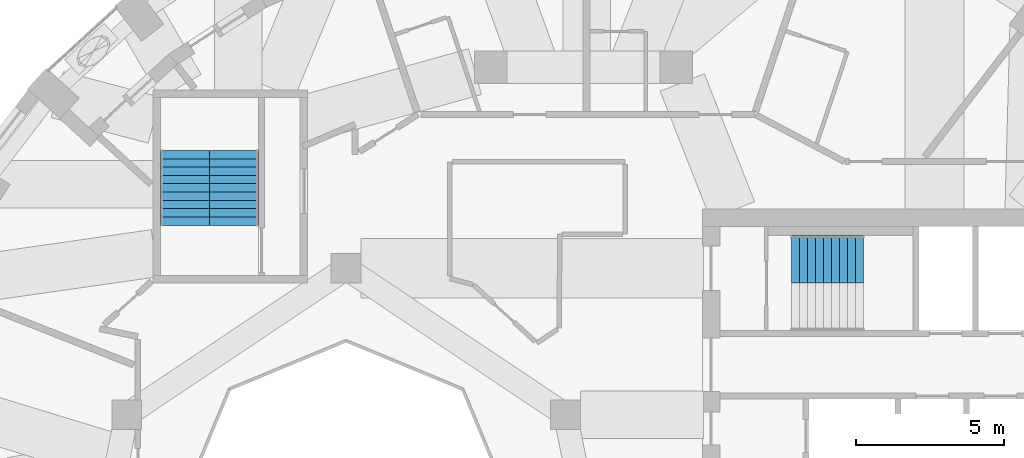
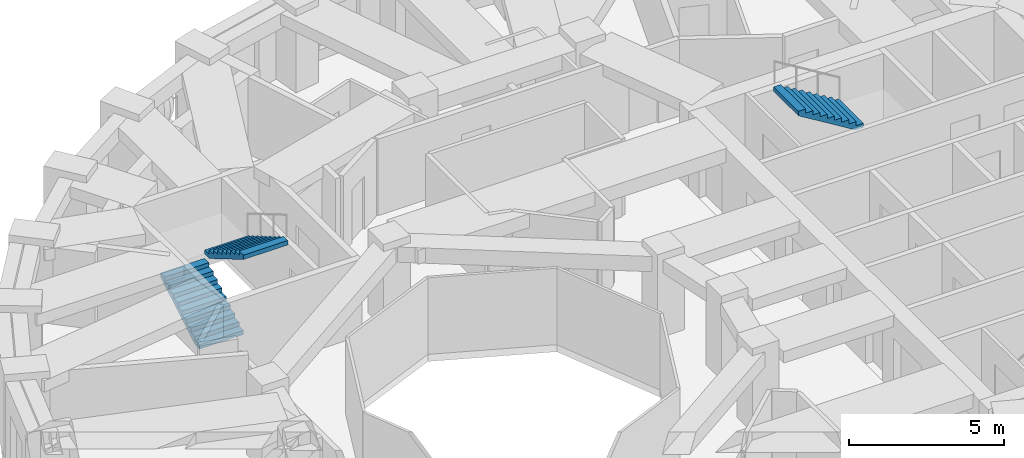
# One storey, part 9 of 12: 3 stair flights, 2 elements without a shape of their own.
"""IFC4 building model written with IfcOpenShell, lengths in metres."""

from ifc_helpers import new_model, si_unit, direction, frame, origin, place, context, subcontext, project, spatial, polyline, outline, extrude, material, type_object, element, aggregate, save


model = new_model("IFC4")

# Units and contexts
model_context = context("Model", 3, precision=1e-05, world=origin(), true_north=direction((0.0, 1.0)))
body_context = subcontext(model_context, "Body", "Model", "MODEL_VIEW")
ifc_project = project(units=[si_unit("LENGTHUNIT", "METRE"), si_unit("AREAUNIT", "SQUARE_METRE"), si_unit("VOLUMEUNIT", "CUBIC_METRE"), si_unit("PLANEANGLEUNIT", "RADIAN"), si_unit("MASSUNIT", "GRAM", prefix="KILO")], contexts=[model_context])

# Site, building, storey
site_placement = place(None, origin())
site = spatial("IfcSite", under=ifc_project, at=site_placement, CompositionType="ELEMENT")
building_placement = place(site_placement, origin())
building = spatial("IfcBuilding", under=site, at=building_placement, Name="Taillehof Tower", CompositionType="ELEMENT")
storey_placement = place(building_placement, frame((0.0, 0.0, 164.89990234375)))
storey = spatial("IfcBuildingStorey", under=building, at=storey_placement, Name="L46", CompositionType="ELEMENT", Elevation=164.89990234375)

# Stair, stair flight
ifc_material_1 = material(Name="Concrete C40/50", Category="concrete")
stair_type = type_object("IfcStairType", Name="Exit stair half-turn", PredefinedType="HALF_TURN_STAIR", material=ifc_material_1)
stair_1_placement = place(storey_placement, origin())
stair_1 = element("IfcStair", 1, at=stair_1_placement, inside=storey, type_object=stair_type, Name="Exit stair S1", PredefinedType="HALF_TURN_STAIR")
ifc_material_2 = material(Name="Concrete C40/50", Category="concrete")
stair_flight_type_1 = type_object("IfcStairFlightType", Name="Stair flight 1600 riser 165.0 going 270", PredefinedType="STRAIGHT", material=ifc_material_2)
stair_flight_1_placement = place(storey_placement, frame((9.429931640625, 8.300048828125, 1.650146484375), z_axis=(0.0, 0.0, 1.0), x_axis=(-1.0, 0.0, 0.0)))
stair_flight_1 = element("IfcStairFlight", 2, at=stair_flight_1_placement, type_object=stair_flight_type_1, Name="S1 flight 2", NumberOfRisers=10, NumberOfTreads=9, PredefinedType="STRAIGHT", RiserHeight=0.165, TreadLength=0.27, context=body_context, shape_type="SweptSolid", body=[
    extrude(outline(polyline([(0.0, 0.0), (0.0, 0.00537109375), (0.0, 0.0107421875), (0.0, 0.015869140625), (0.0, 0.021240234375), (0.0, 0.026611328125), (0.0, 0.031982421875), (0.0, 0.037353515625), (0.0, 0.04248046875), (0.0, 0.0478515625), (0.0, 0.05322265625), (0.0, 0.05859375), (0.0, 0.06396484375), (0.0, 0.069091796875), (0.0, 0.074462890625), (0.0, 0.079833984375), (0.0, 0.085205078125), (0.0, 0.090576171875), (0.0, 0.095703125), (0.0, 0.10107421875), (0.0, 0.1064453125), (0.0, 0.11181640625), (0.0, 0.1171875), (0.0, 0.122314453125), (0.0, 0.127685546875), (0.0, 0.133056640625), (0.0, 0.138427734375), (0.0, 0.143798828125), (0.0, 0.14892578125), (0.0, 0.154296875), (0.0, 0.15966796875), (0.0, 0.1650390625), (0.27001953125, 0.1650390625), (0.27001953125, 0.330078125), (0.5400390625, 0.330078125), (0.5400390625, 0.4951171875), (0.81005859375, 0.4951171875), (0.81005859375, 0.659912109375), (1.080078125, 0.659912109375), (1.080078125, 0.824951171875), (1.35009765625, 0.824951171875), (1.35009765625, 0.989990234375), (1.6201171875, 0.989990234375), (1.6201171875, 1.155029296875), (1.889892578125, 1.155029296875), (1.889892578125, 1.320068359375), (2.159912109375, 1.320068359375), (2.159912109375, 1.485107421875), (2.429931640625, 1.485107421875), (2.429931640625, 1.479248046875), (2.429931640625, 1.4736328125), (2.429931640625, 1.468017578125), (2.429931640625, 1.46240234375), (2.429931640625, 1.45654296875), (2.429931640625, 1.450927734375), (2.429931640625, 1.4453125), (2.429931640625, 1.439697265625), (2.429931640625, 1.43408203125), (2.429931640625, 1.42822265625), (2.429931640625, 1.422607421875), (2.429931640625, 1.4169921875), (2.429931640625, 1.411376953125), (2.429931640625, 1.40576171875), (2.429931640625, 1.39990234375), (2.429931640625, 1.394287109375), (2.429931640625, 1.388671875), (2.429931640625, 1.383056640625), (2.429931640625, 1.37744140625), (2.429931640625, 1.37158203125), (2.429931640625, 1.365966796875), (2.429931640625, 1.3603515625), (2.429931640625, 1.354736328125), (2.429931640625, 1.348876953125), (2.429931640625, 1.34326171875), (2.429931640625, 1.337646484375), (2.429931640625, 1.33203125), (2.429931640625, 1.326416015625), (2.429931640625, 1.320556640625), (2.429931640625, 1.31494140625), (2.429931640625, 1.309326171875), (0.287353515625, 0.0), (0.0, 0.0)])), frame((0.0, 0.800048828125, 0.0), z_axis=(0.0, -1.0, 0.0), x_axis=(1.0, 0.0, 0.0)), (0.0, 0.0, 1.0), 1.6),
])
aggregate(stair_1, [stair_flight_1])

# Stair, stair flights
stair_2_placement = place(storey_placement, origin())
stair_2 = element("IfcStair", 3, at=stair_2_placement, inside=storey, type_object=stair_type, Name="Exit stair S3", PredefinedType="HALF_TURN_STAIR")
ifc_material_3 = material(Name="Concrete C40/50", Category="concrete")
stair_flight_type_2 = type_object("IfcStairFlightType", Name="Stair flight 1650 riser 165.0 going 280", PredefinedType="STRAIGHT", material=ifc_material_3)
stair_flight_2_placement = place(storey_placement, frame((-13.425048828125, 9.449951171875, 0.0), z_axis=(0.0, 0.0, 1.0), x_axis=(0.0, 1.0, 0.0)))
stair_flight_2 = element("IfcStairFlight", 4, at=stair_flight_2_placement, type_object=stair_flight_type_2, Name="S3 flight 1", NumberOfRisers=10, NumberOfTreads=9, PredefinedType="STRAIGHT", RiserHeight=0.165, TreadLength=0.28, context=body_context, shape_type="SweptSolid", body=[
    extrude(outline(polyline([(0.0, 0.0), (0.0, 0.00537109375), (0.0, 0.0107421875), (0.0, 0.015869140625), (0.0, 0.021240234375), (0.0, 0.026611328125), (0.0, 0.031982421875), (0.0, 0.037353515625), (0.0, 0.04248046875), (0.0, 0.0478515625), (0.0, 0.05322265625), (0.0, 0.05859375), (0.0, 0.06396484375), (0.0, 0.069091796875), (0.0, 0.074462890625), (0.0, 0.079833984375), (0.0, 0.085205078125), (0.0, 0.090576171875), (0.0, 0.095703125), (0.0, 0.10107421875), (0.0, 0.1064453125), (0.0, 0.11181640625), (0.0, 0.1171875), (0.0, 0.122314453125), (0.0, 0.127685546875), (0.0, 0.133056640625), (0.0, 0.138427734375), (0.0, 0.143798828125), (0.0, 0.14892578125), (0.0, 0.154296875), (0.0, 0.15966796875), (0.0, 0.1650390625), (0.280029296875, 0.1650390625), (0.280029296875, 0.330078125), (0.56005859375, 0.330078125), (0.56005859375, 0.4951171875), (0.840087890625, 0.4951171875), (0.840087890625, 0.659912109375), (1.1201171875, 0.659912109375), (1.1201171875, 0.824951171875), (1.39990234375, 0.824951171875), (1.39990234375, 0.989990234375), (1.679931640625, 0.989990234375), (1.679931640625, 1.155029296875), (1.9599609375, 1.155029296875), (1.9599609375, 1.320068359375), (2.239990234375, 1.320068359375), (2.239990234375, 1.485107421875), (2.52001953125, 1.485107421875), (2.52001953125, 1.4794921875), (2.52001953125, 1.473876953125), (2.52001953125, 1.46826171875), (2.52001953125, 1.462646484375), (2.52001953125, 1.45703125), (2.52001953125, 1.451416015625), (2.52001953125, 1.44580078125), (2.52001953125, 1.440185546875), (2.52001953125, 1.4345703125), (2.52001953125, 1.428955078125), (2.52001953125, 1.42333984375), (2.52001953125, 1.417724609375), (2.52001953125, 1.412109375), (2.52001953125, 1.406494140625), (2.52001953125, 1.40087890625), (2.52001953125, 1.395263671875), (2.52001953125, 1.3896484375), (2.52001953125, 1.384033203125), (2.52001953125, 1.37841796875), (2.52001953125, 1.372802734375), (2.52001953125, 1.3671875), (2.52001953125, 1.361572265625), (2.52001953125, 1.35595703125), (2.52001953125, 1.350341796875), (2.52001953125, 1.3447265625), (2.52001953125, 1.339111328125), (2.52001953125, 1.33349609375), (2.52001953125, 1.327880859375), (2.52001953125, 1.322265625), (2.52001953125, 1.316650390625), (2.52001953125, 1.31103515625), (0.295166015625, 0.0), (0.0, 0.0)])), frame((0.0, 0.824951171875, 0.0), z_axis=(0.0, -1.0, 0.0), x_axis=(1.0, 0.0, 0.0)), (0.0, 0.0, 1.0), 1.65),
])
stair_flight_3_placement = place(storey_placement, frame((-11.77490234375, 11.969970703125, 1.650146484375), z_axis=(0.0, 0.0, 1.0), x_axis=(0.0, -1.0, 0.0)))
stair_flight_3 = element("IfcStairFlight", 5, at=stair_flight_3_placement, type_object=stair_flight_type_2, Name="S3 flight 2", NumberOfRisers=10, NumberOfTreads=9, PredefinedType="STRAIGHT", RiserHeight=0.165, TreadLength=0.28, context=body_context, shape_type="SweptSolid", body=[
    extrude(outline(polyline([(0.0, 0.0), (0.0, 0.00537109375), (0.0, 0.0107421875), (0.0, 0.015869140625), (0.0, 0.021240234375), (0.0, 0.026611328125), (0.0, 0.031982421875), (0.0, 0.037353515625), (0.0, 0.04248046875), (0.0, 0.0478515625), (0.0, 0.05322265625), (0.0, 0.05859375), (0.0, 0.06396484375), (0.0, 0.069091796875), (0.0, 0.074462890625), (0.0, 0.079833984375), (0.0, 0.085205078125), (0.0, 0.090576171875), (0.0, 0.095703125), (0.0, 0.10107421875), (0.0, 0.1064453125), (0.0, 0.11181640625), (0.0, 0.1171875), (0.0, 0.122314453125), (0.0, 0.127685546875), (0.0, 0.133056640625), (0.0, 0.138427734375), (0.0, 0.143798828125), (0.0, 0.14892578125), (0.0, 0.154296875), (0.0, 0.15966796875), (0.0, 0.1650390625), (0.280029296875, 0.1650390625), (0.280029296875, 0.330078125), (0.56005859375, 0.330078125), (0.56005859375, 0.4951171875), (0.840087890625, 0.4951171875), (0.840087890625, 0.659912109375), (1.1201171875, 0.659912109375), (1.1201171875, 0.824951171875), (1.39990234375, 0.824951171875), (1.39990234375, 0.989990234375), (1.679931640625, 0.989990234375), (1.679931640625, 1.155029296875), (1.9599609375, 1.155029296875), (1.9599609375, 1.320068359375), (2.239990234375, 1.320068359375), (2.239990234375, 1.485107421875), (2.52001953125, 1.485107421875), (2.52001953125, 1.4794921875), (2.52001953125, 1.473876953125), (2.52001953125, 1.46826171875), (2.52001953125, 1.462646484375), (2.52001953125, 1.45703125), (2.52001953125, 1.451416015625), (2.52001953125, 1.44580078125), (2.52001953125, 1.440185546875), (2.52001953125, 1.4345703125), (2.52001953125, 1.428955078125), (2.52001953125, 1.42333984375), (2.52001953125, 1.417724609375), (2.52001953125, 1.412109375), (2.52001953125, 1.406494140625), (2.52001953125, 1.40087890625), (2.52001953125, 1.395263671875), (2.52001953125, 1.3896484375), (2.52001953125, 1.384033203125), (2.52001953125, 1.37841796875), (2.52001953125, 1.372802734375), (2.52001953125, 1.3671875), (2.52001953125, 1.361572265625), (2.52001953125, 1.35595703125), (2.52001953125, 1.350341796875), (2.52001953125, 1.3447265625), (2.52001953125, 1.339111328125), (2.52001953125, 1.33349609375), (2.52001953125, 1.327880859375), (2.52001953125, 1.322265625), (2.52001953125, 1.316650390625), (2.52001953125, 1.31103515625), (0.295166015625, 0.0), (0.0, 0.0)])), frame((0.0, 0.824951171875, 0.0), z_axis=(0.0, -1.0, 0.0), x_axis=(1.0, 0.0, 0.0)), (0.0, 0.0, 1.0), 1.65),
])
aggregate(stair_2, [stair_flight_2, stair_flight_3])

save(model, "model.ifc")
